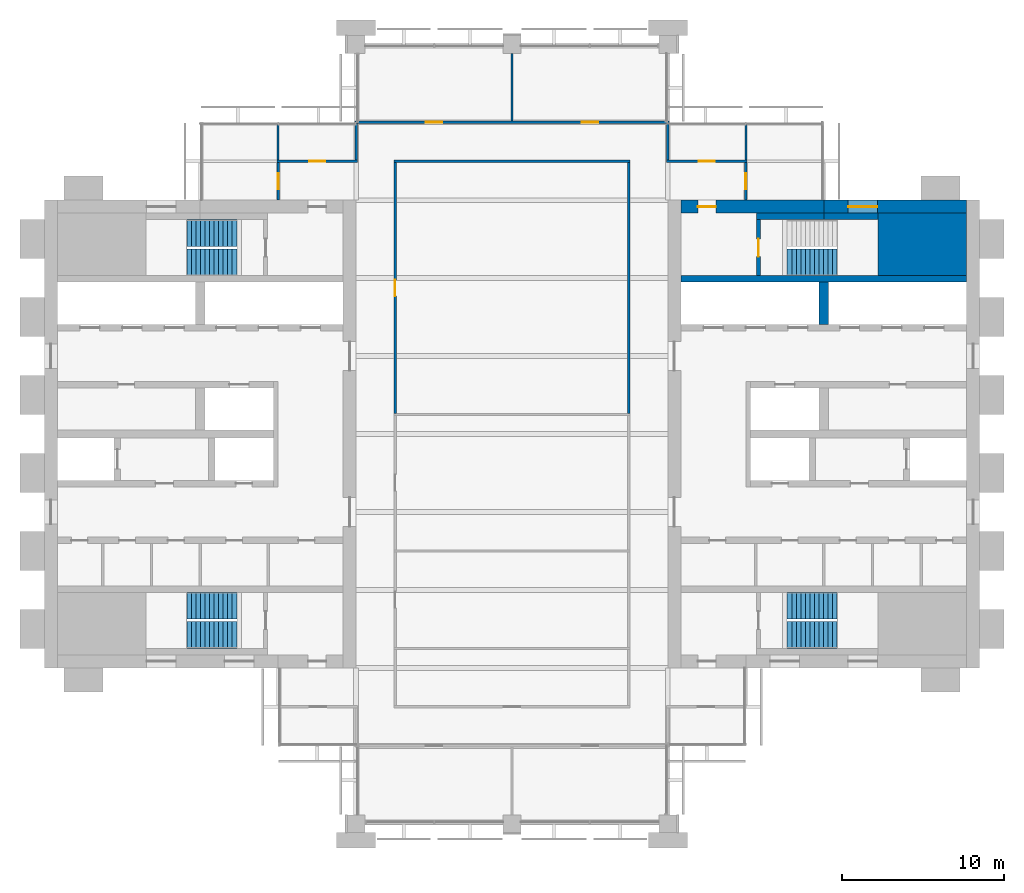
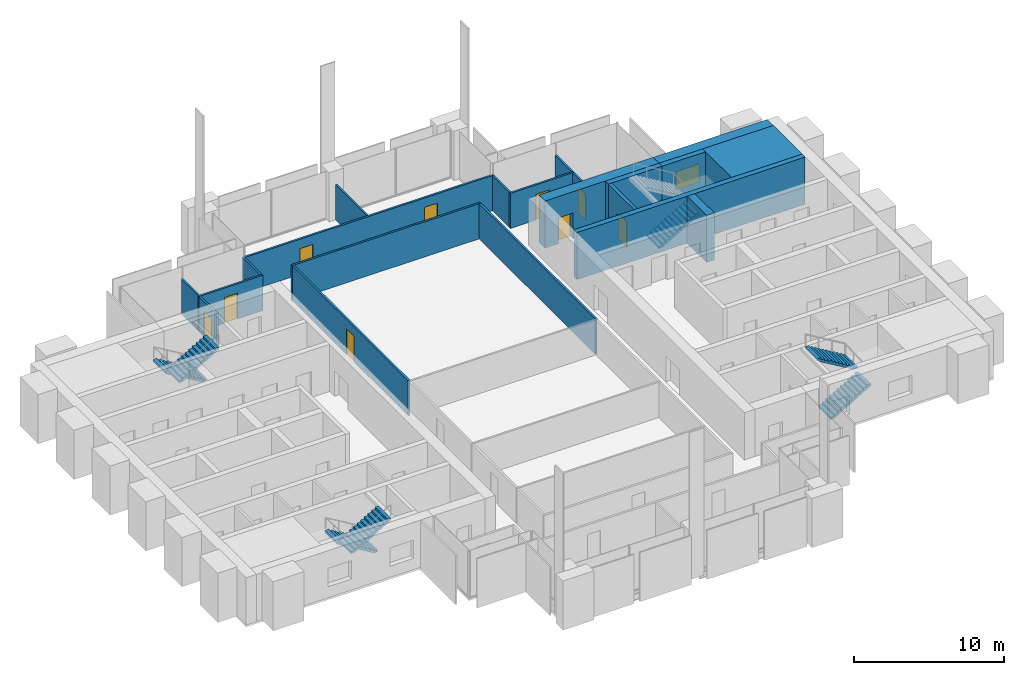
# One storey, part 11 of 13: 21 walls, 9 doors, 7 stair flights, 1 window, 10 openings, 4 elements without a shape of their own.
"""IFC4 building model written with IfcOpenShell, lengths in metres."""

from ifc_helpers import new_model, si_unit, direction, frame, frame_2d, origin, place, context, subcontext, project, spatial, polyline, rectangle, outline, extrude, material, layer, layer_set, type_object, element, fill, aggregate, save


model = new_model("IFC4")

# Units and contexts
model_context = context("Model", 3, precision=1e-05, world=origin(), true_north=direction((0.0, 1.0)))
body_context = subcontext(model_context, "Body", "Model", "MODEL_VIEW")
ifc_project = project(units=[si_unit("LENGTHUNIT", "METRE"), si_unit("AREAUNIT", "SQUARE_METRE"), si_unit("VOLUMEUNIT", "CUBIC_METRE"), si_unit("PLANEANGLEUNIT", "RADIAN"), si_unit("MASSUNIT", "GRAM", prefix="KILO")], contexts=[model_context])

# Site, building, storey
site_placement = place(None, origin())
site = spatial("IfcSite", under=ifc_project, at=site_placement, CompositionType="ELEMENT")
building_placement = place(site_placement, origin())
building = spatial("IfcBuilding", under=site, at=building_placement, Name="Baori Bourse Tower", CompositionType="ELEMENT")
storey_placement = place(building_placement, frame((0.0, 0.0, 249.199951171875)))
storey = spatial("IfcBuildingStorey", under=building, at=storey_placement, Name="L55", CompositionType="ELEMENT", Elevation=249.199951171875)

# Wall
ifc_material_1 = material(Name="Concrete f'c 50 MPa", Category="concrete")
wall_type_1 = type_object("IfcWallType", Name="Core corner block f'c 50", PredefinedType="SHEAR", material=ifc_material_1)
wall_1_placement = place(storey_placement, frame((51.35009765625, 35.675048828125, 0.0), z_axis=(0.0, 0.0, 1.0), x_axis=(1.0, 0.0, 0.0)))
element("IfcWall", 1, at=wall_1_placement, inside=storey, type_object=wall_type_1, Name="Core wall E24", PredefinedType="SHEAR", context=body_context, shape_type="SweptSolid", body=[
    extrude(rectangle(XDim=5.449951171875, YDim=3.85009765625, at=frame_2d((2.72509765625, 0.0))), origin(), (0.0, 0.0, 1.0), 3.840087890625),
])

# Wall, opening, window
ifc_material_2 = material(Name="Concrete f'c 50 MPa", Category="concrete")
ifc_layer_1 = layer(ifc_material_2, 0.800048828125)
ifc_layer_set_1 = layer_set([ifc_layer_1], Name="Core wall 800 f'c 50")
wall_type_2 = type_object("IfcWallType", Name="Core wall 800 f'c 50", PredefinedType="SHEAR", material=ifc_layer_set_1)
wall_2_placement = place(storey_placement, frame((48.0, 38.0, 0.0), z_axis=(0.0, 0.0, 1.0), x_axis=(1.0, 0.0, 0.0)))
wall_2 = element("IfcWall", 2, at=wall_2_placement, inside=storey, type_object=wall_type_2, Name="Core wall E28", PredefinedType="SHEAR", context=body_context, shape_type="SweptSolid", body=[
    extrude(rectangle(XDim=8.800048828125, YDim=0.800048828125, at=frame_2d((4.39990234375, 0.0))), origin(), (0.0, 0.0, 1.0), 3.840087890625),
])
opening_1_placement = place(wall_2_placement, frame((1.5, 0.0, 0.89990234375)))
opening_1 = element("IfcOpeningElement", 3, at=opening_1_placement, cuts=wall_2, Name="Opening L55-KW205", PredefinedType="OPENING", context=body_context, shape_type="SweptSolid", body=[
    extrude(rectangle(XDim=1.800048828125, YDim=1.5, at=frame_2d((0.89990234375, 0.75))), frame((0.0, 0.409912109375, 0.0), z_axis=(0.0, -1.0, 0.0), x_axis=(1.0, 0.0, 0.0)), (0.0, 0.0, 1.0), 0.820068359375),
])
ifc_material_3 = material(Name="Pale anodised aluminium", Category="aluminium")
window_type = type_object("IfcWindowType", Name="Stair window 1800 x 1500", PartitioningType="SINGLE_PANEL", PredefinedType="WINDOW", material=ifc_material_3)
window_placement = place(opening_1_placement, origin())
window = element("IfcWindow", 4, at=window_placement, inside=storey, type_object=window_type, Name="Stair window E L55 5", OverallHeight=1.5, OverallWidth=1.800048828125, PartitioningType="SINGLE_PANEL", PredefinedType="WINDOW", context=body_context, shape_type="SweptSolid", body=[
    extrude(rectangle(XDim=1.800048828125, YDim=1.5, at=frame_2d((0.89990234375, 0.75))), frame((0.0, 0.030029296875, 0.0), z_axis=(0.0, -1.0, 0.0), x_axis=(1.0, 0.0, 0.0)), (0.0, 0.0, 1.0), 0.06005859375),
])
fill(opening_1, window)

# Wall, opening, door
wall_3_placement = place(storey_placement, frame((39.199951171875, 38.0, 0.0), z_axis=(0.0, 0.0, 1.0), x_axis=(1.0, 0.0, 0.0)))
wall_3 = element("IfcWall", 5, at=wall_3_placement, inside=storey, type_object=wall_type_2, Name="Core wall E29", PredefinedType="SHEAR", context=body_context, shape_type="SweptSolid", body=[
    extrude(rectangle(XDim=8.800048828125, YDim=0.800048828125, at=frame_2d((4.39990234375, 0.0))), origin(), (0.0, 0.0, 1.0), 3.840087890625),
])
opening_2_placement = place(wall_3_placement, frame((1.050048828125, 0.0, 0.0)))
opening_2 = element("IfcOpeningElement", 6, at=opening_2_placement, cuts=wall_3, Name="Opening L55-D204", PredefinedType="OPENING", context=body_context, shape_type="SweptSolid", body=[
    extrude(rectangle(XDim=1.10009765625, YDim=2.10009765625, at=frame_2d((0.550048828125, 1.050048828125))), frame((0.0, 0.409912109375, 0.0), z_axis=(0.0, -1.0, 0.0), x_axis=(1.0, 0.0, 0.0)), (0.0, 0.0, 1.0), 0.820068359375),
])
ifc_material_4 = material(Name="Painted steel door", Category="steel")
door_type_1 = type_object("IfcDoorType", Name="Stair door 1100", OperationType="SINGLE_SWING_LEFT", PredefinedType="DOOR", material=ifc_material_4)
door_1_placement = place(opening_2_placement, origin())
door_1 = element("IfcDoor", 7, at=door_1_placement, inside=storey, type_object=door_type_1, Name="Stair vestibule door B E L55", OperationType="SINGLE_SWING_LEFT", OverallHeight=2.10009765625, OverallWidth=1.10009765625, PredefinedType="DOOR", context=body_context, shape_type="SweptSolid", body=[
    extrude(rectangle(XDim=1.10009765625, YDim=2.10009765625, at=frame_2d((0.550048828125, 1.050048828125))), frame((0.0, 0.02490234375, 0.0), z_axis=(0.0, -1.0, 0.0), x_axis=(1.0, 0.0, 0.0)), (0.0, 0.0, 1.0), 0.050048828125),
])
fill(opening_2, door_1)

ifc_material_5 = material(Name="Gypsum board partition")
ifc_layer_2 = layer(ifc_material_5, 0.14990234375)
ifc_layer_set_2 = layer_set([ifc_layer_2], Name="Corridor partition 150")
wall_type_3 = type_object("IfcWallType", Name="Corridor partition 150", PredefinedType="PARTITIONING", material=ifc_layer_set_2)
wall_4_placement = place(storey_placement, frame((14.324951171875, 40.800048828125, 0.0), z_axis=(0.0, 0.0, 1.0), x_axis=(1.0, 0.0, 0.0)))
wall_4 = element("IfcWall", 8, at=wall_4_placement, inside=storey, type_object=wall_type_3, Name="Partition", PredefinedType="PARTITIONING", context=body_context, shape_type="SweptSolid", body=[
    extrude(rectangle(XDim=4.949951171875, YDim=0.14990234375, at=frame_2d((2.47509765625, 0.0))), origin(), (0.0, 0.0, 1.0), 2.869873046875),
])
opening_3_placement = place(wall_4_placement, frame((1.97509765625, 0.0, 0.0)))
opening_3 = element("IfcOpeningElement", 9, at=opening_3_placement, cuts=wall_4, Name="Opening L55-D06", PredefinedType="OPENING", context=body_context, shape_type="SweptSolid", body=[
    extrude(rectangle(XDim=1.0, YDim=2.10009765625, at=frame_2d((0.5, 1.050048828125))), frame((0.0, 0.0849609375, 0.0), z_axis=(0.0, -1.0, 0.0), x_axis=(1.0, 0.0, 0.0)), (0.0, 0.0, 1.0), 0.169921875),
])
ifc_material_6 = material(Name="Timber door leaf", Category="wood")
door_type_2 = type_object("IfcDoorType", Name="Door 1000 x 2100", OperationType="SINGLE_SWING_LEFT", PredefinedType="DOOR", material=ifc_material_6)
door_2_placement = place(opening_3_placement, origin())
door_2 = element("IfcDoor", 10, at=door_2_placement, inside=storey, type_object=door_type_2, Name="Door", OperationType="SINGLE_SWING_LEFT", OverallHeight=2.10009765625, OverallWidth=1.0, PredefinedType="DOOR", context=body_context, shape_type="SweptSolid", body=[
    extrude(rectangle(XDim=1.0, YDim=2.10009765625, at=frame_2d((0.5, 1.050048828125))), frame((0.0, 0.02490234375, 0.0), z_axis=(0.0, -1.0, 0.0), x_axis=(1.0, 0.0, 0.0)), (0.0, 0.0, 1.0), 0.050048828125),
])
fill(opening_3, door_2)

# Wall
wall_5_placement = place(storey_placement, frame((21.52490234375, 40.800048828125, 0.0), z_axis=(0.0, 0.0, 1.0), x_axis=(1.0, 0.0, 0.0)))
element("IfcWall", 11, at=wall_5_placement, inside=storey, type_object=wall_type_3, Name="Partition", PredefinedType="PARTITIONING", context=body_context, shape_type="SweptSolid", body=[
    extrude(rectangle(XDim=14.550048828125, YDim=0.14990234375, at=frame_2d((7.27490234375, 0.0))), origin(), (0.0, 0.0, 1.0), 2.869873046875),
])

# Wall, opening, door
wall_6_placement = place(storey_placement, frame((38.324951171875, 40.800048828125, 0.0), z_axis=(0.0, 0.0, 1.0), x_axis=(1.0, 0.0, 0.0)))
wall_6 = element("IfcWall", 12, at=wall_6_placement, inside=storey, type_object=wall_type_3, Name="Partition", PredefinedType="PARTITIONING", context=body_context, shape_type="SweptSolid", body=[
    extrude(rectangle(XDim=4.949951171875, YDim=0.14990234375, at=frame_2d((2.47509765625, 0.0))), origin(), (0.0, 0.0, 1.0), 2.869873046875),
])
opening_4_placement = place(wall_6_placement, frame((1.97509765625, 0.0, 0.0)))
opening_4 = element("IfcOpeningElement", 13, at=opening_4_placement, cuts=wall_6, Name="Opening L55-D07", PredefinedType="OPENING", context=body_context, shape_type="SweptSolid", body=[
    extrude(rectangle(XDim=1.0, YDim=2.10009765625, at=frame_2d((0.5, 1.050048828125))), frame((0.0, 0.0849609375, 0.0), z_axis=(0.0, -1.0, 0.0), x_axis=(1.0, 0.0, 0.0)), (0.0, 0.0, 1.0), 0.169921875),
])
door_3_placement = place(opening_4_placement, origin())
door_3 = element("IfcDoor", 14, at=door_3_placement, inside=storey, type_object=door_type_2, Name="Door", OperationType="SINGLE_SWING_RIGHT", OverallHeight=2.10009765625, OverallWidth=1.0, PredefinedType="DOOR", context=body_context, shape_type="SweptSolid", body=[
    extrude(rectangle(XDim=1.0, YDim=2.10009765625, at=frame_2d((0.5, 1.050048828125))), frame((0.0, 0.02490234375, 0.0), z_axis=(0.0, -1.0, 0.0), x_axis=(1.0, 0.0, 0.0)), (0.0, 0.0, 1.0), 0.050048828125),
])
fill(opening_4, door_3)

# Wall, openings, doors
wall_7_placement = place(storey_placement, frame((19.125, 43.199951171875, 0.0), z_axis=(0.0, 0.0, 1.0), x_axis=(1.0, 0.0, 0.0)))
wall_7 = element("IfcWall", 15, at=wall_7_placement, inside=storey, type_object=wall_type_3, Name="Partition", PredefinedType="PARTITIONING", context=body_context, shape_type="SweptSolid", body=[
    extrude(rectangle(XDim=19.35009765625, YDim=0.14990234375, at=frame_2d((9.675048828125, 0.0))), origin(), (0.0, 0.0, 1.0), 2.869873046875),
])
opening_5_placement = place(wall_7_placement, frame((4.375, 0.0, 0.0)))
opening_5 = element("IfcOpeningElement", 16, at=opening_5_placement, cuts=wall_7, Name="Opening L55-D08", PredefinedType="OPENING", context=body_context, shape_type="SweptSolid", body=[
    extrude(rectangle(XDim=1.0, YDim=2.10009765625, at=frame_2d((0.5, 1.050048828125))), frame((0.0, 0.0849609375, 0.0), z_axis=(0.0, -1.0, 0.0), x_axis=(1.0, 0.0, 0.0)), (0.0, 0.0, 1.0), 0.169921875),
])
opening_6_placement = place(wall_7_placement, frame((13.97509765625, 0.0, 0.0)))
opening_6 = element("IfcOpeningElement", 17, at=opening_6_placement, cuts=wall_7, Name="Opening L55-D09", PredefinedType="OPENING", context=body_context, shape_type="SweptSolid", body=[
    extrude(rectangle(XDim=1.0, YDim=2.10009765625, at=frame_2d((0.5, 1.050048828125))), frame((0.0, 0.0849609375, 0.0), z_axis=(0.0, -1.0, 0.0), x_axis=(1.0, 0.0, 0.0)), (0.0, 0.0, 1.0), 0.169921875),
])
door_4_placement = place(opening_5_placement, origin())
door_4 = element("IfcDoor", 18, at=door_4_placement, inside=storey, type_object=door_type_2, Name="Door", OperationType="SINGLE_SWING_RIGHT", OverallHeight=2.10009765625, OverallWidth=1.0, PredefinedType="DOOR", context=body_context, shape_type="SweptSolid", body=[
    extrude(rectangle(XDim=1.0, YDim=2.10009765625, at=frame_2d((0.5, 1.050048828125))), frame((0.0, 0.02490234375, 0.0), z_axis=(0.0, -1.0, 0.0), x_axis=(1.0, 0.0, 0.0)), (0.0, 0.0, 1.0), 0.050048828125),
])
fill(opening_5, door_4)
door_5_placement = place(opening_6_placement, origin())
door_5 = element("IfcDoor", 19, at=door_5_placement, inside=storey, type_object=door_type_2, Name="Door", OperationType="SINGLE_SWING_LEFT", OverallHeight=2.10009765625, OverallWidth=1.0, PredefinedType="DOOR", context=body_context, shape_type="SweptSolid", body=[
    extrude(rectangle(XDim=1.0, YDim=2.10009765625, at=frame_2d((0.5, 1.050048828125))), frame((0.0, 0.02490234375, 0.0), z_axis=(0.0, -1.0, 0.0), x_axis=(1.0, 0.0, 0.0)), (0.0, 0.0, 1.0), 0.050048828125),
])
fill(opening_6, door_5)

# Wall, opening, door
wall_8_placement = place(storey_placement, frame((14.39990234375, 38.39990234375, 0.0), z_axis=(0.0, 0.0, 1.0), x_axis=(0.0, 1.0, 0.0)))
wall_8 = element("IfcWall", 20, at=wall_8_placement, inside=storey, type_object=wall_type_3, Name="Partition", PredefinedType="PARTITIONING", context=body_context, shape_type="SweptSolid", body=[
    extrude(rectangle(XDim=2.3251953125, YDim=0.14990234375, at=frame_2d((1.16259765625, 0.0))), origin(), (0.0, 0.0, 1.0), 2.869873046875),
])
opening_7_placement = place(wall_8_placement, frame((0.66259765625, 0.0, 0.0)))
opening_7 = element("IfcOpeningElement", 21, at=opening_7_placement, cuts=wall_8, Name="Opening L55-D10", PredefinedType="OPENING", context=body_context, shape_type="SweptSolid", body=[
    extrude(rectangle(XDim=1.0, YDim=2.10009765625, at=frame_2d((0.5, 1.050048828125))), frame((0.0, 0.0849609375, 0.0), z_axis=(0.0, -1.0, 0.0), x_axis=(1.0, 0.0, 0.0)), (0.0, 0.0, 1.0), 0.169921875),
])
door_6_placement = place(opening_7_placement, origin())
door_6 = element("IfcDoor", 22, at=door_6_placement, inside=storey, type_object=door_type_2, Name="Door", OperationType="SINGLE_SWING_RIGHT", OverallHeight=2.10009765625, OverallWidth=1.0, PredefinedType="DOOR", context=body_context, shape_type="SweptSolid", body=[
    extrude(rectangle(XDim=1.0, YDim=2.10009765625, at=frame_2d((0.5, 1.050048828125))), frame((0.0, 0.02490234375, 0.0), z_axis=(0.0, -1.0, 0.0), x_axis=(1.0, 0.0, 0.0)), (0.0, 0.0, 1.0), 0.050048828125),
])
fill(opening_7, door_6)

# Wall
wall_9_placement = place(storey_placement, frame((19.199951171875, 40.875, 0.0), z_axis=(0.0, 0.0, 1.0), x_axis=(0.0, 1.0, 0.0)))
element("IfcWall", 23, at=wall_9_placement, inside=storey, type_object=wall_type_3, Name="Partition", PredefinedType="PARTITIONING", context=body_context, shape_type="SweptSolid", body=[
    extrude(rectangle(XDim=2.25, YDim=0.14990234375, at=frame_2d((1.125, 0.0))), origin(), (0.0, 0.0, 1.0), 2.869873046875),
])

# Wall, opening, door
wall_10_placement = place(storey_placement, frame((21.60009765625, 25.262451171875, 0.0), z_axis=(0.0, 0.0, 1.0), x_axis=(0.0, 1.0, 0.0)))
wall_10 = element("IfcWall", 24, at=wall_10_placement, inside=storey, type_object=wall_type_3, Name="Partition", PredefinedType="PARTITIONING", context=body_context, shape_type="SweptSolid", body=[
    extrude(rectangle(XDim=15.462646484375, YDim=0.14990234375, at=frame_2d((7.7314453125, 0.0))), origin(), (0.0, 0.0, 1.0), 2.869873046875),
])
opening_8_placement = place(wall_10_placement, frame((7.231201171875, 0.0, 0.0)))
opening_8 = element("IfcOpeningElement", 25, at=opening_8_placement, cuts=wall_10, Name="Opening L55-D13", PredefinedType="OPENING", context=body_context, shape_type="SweptSolid", body=[
    extrude(rectangle(XDim=1.0, YDim=2.10009765625, at=frame_2d((0.5, 1.050048828125))), frame((0.0, 0.0849609375, 0.0), z_axis=(0.0, -1.0, 0.0), x_axis=(1.0, 0.0, 0.0)), (0.0, 0.0, 1.0), 0.169921875),
])
door_7_placement = place(opening_8_placement, origin())
door_7 = element("IfcDoor", 26, at=door_7_placement, inside=storey, type_object=door_type_2, Name="Door", OperationType="SINGLE_SWING_LEFT", OverallHeight=2.10009765625, OverallWidth=1.0, PredefinedType="DOOR", context=body_context, shape_type="SweptSolid", body=[
    extrude(rectangle(XDim=1.0, YDim=2.10009765625, at=frame_2d((0.5, 1.050048828125))), frame((0.0, 0.02490234375, 0.0), z_axis=(0.0, -1.0, 0.0), x_axis=(1.0, 0.0, 0.0)), (0.0, 0.0, 1.0), 0.050048828125),
])
fill(opening_8, door_7)

# Walls
wall_11_placement = place(storey_placement, frame((36.0, 25.262451171875, 0.0), z_axis=(0.0, 0.0, 1.0), x_axis=(0.0, 1.0, 0.0)))
element("IfcWall", 27, at=wall_11_placement, inside=storey, type_object=wall_type_3, Name="Partition", PredefinedType="PARTITIONING", context=body_context, shape_type="SweptSolid", body=[
    extrude(rectangle(XDim=15.462646484375, YDim=0.14990234375, at=frame_2d((7.7314453125, 0.0))), origin(), (0.0, 0.0, 1.0), 2.869873046875),
])
wall_12_placement = place(storey_placement, frame((38.39990234375, 40.875, 0.0), z_axis=(0.0, 0.0, 1.0), x_axis=(0.0, 1.0, 0.0)))
element("IfcWall", 28, at=wall_12_placement, inside=storey, type_object=wall_type_3, Name="Partition", PredefinedType="PARTITIONING", context=body_context, shape_type="SweptSolid", body=[
    extrude(rectangle(XDim=2.25, YDim=0.14990234375, at=frame_2d((1.125, 0.0))), origin(), (0.0, 0.0, 1.0), 2.869873046875),
])

# Wall, opening, door
wall_13_placement = place(storey_placement, frame((43.199951171875, 38.39990234375, 0.0), z_axis=(0.0, 0.0, 1.0), x_axis=(0.0, 1.0, 0.0)))
wall_13 = element("IfcWall", 29, at=wall_13_placement, inside=storey, type_object=wall_type_3, Name="Partition", PredefinedType="PARTITIONING", context=body_context, shape_type="SweptSolid", body=[
    extrude(rectangle(XDim=2.3251953125, YDim=0.14990234375, at=frame_2d((1.16259765625, 0.0))), origin(), (0.0, 0.0, 1.0), 2.869873046875),
])
opening_9_placement = place(wall_13_placement, frame((0.66259765625, 0.0, 0.0)))
opening_9 = element("IfcOpeningElement", 30, at=opening_9_placement, cuts=wall_13, Name="Opening L55-D14", PredefinedType="OPENING", context=body_context, shape_type="SweptSolid", body=[
    extrude(rectangle(XDim=1.0, YDim=2.10009765625, at=frame_2d((0.5, 1.050048828125))), frame((0.0, 0.0849609375, 0.0), z_axis=(0.0, -1.0, 0.0), x_axis=(1.0, 0.0, 0.0)), (0.0, 0.0, 1.0), 0.169921875),
])
door_8_placement = place(opening_9_placement, origin())
door_8 = element("IfcDoor", 31, at=door_8_placement, inside=storey, type_object=door_type_2, Name="Door", OperationType="SINGLE_SWING_LEFT", OverallHeight=2.10009765625, OverallWidth=1.0, PredefinedType="DOOR", context=body_context, shape_type="SweptSolid", body=[
    extrude(rectangle(XDim=1.0, YDim=2.10009765625, at=frame_2d((0.5, 1.050048828125))), frame((0.0, 0.02490234375, 0.0), z_axis=(0.0, -1.0, 0.0), x_axis=(1.0, 0.0, 0.0)), (0.0, 0.0, 1.0), 0.050048828125),
])
fill(opening_9, door_8)

# Walls
ifc_material_7 = material(Name="Gypsum board partition")
ifc_layer_3 = layer(ifc_material_7, 0.125)
ifc_layer_set_3 = layer_set([ifc_layer_3], Name="Partition 125")
wall_type_4 = type_object("IfcWallType", Name="Partition 125", PredefinedType="PARTITIONING", material=ifc_layer_set_3)
wall_14_placement = place(storey_placement, frame((14.39990234375, 40.875, 0.0), z_axis=(0.0, 0.0, 1.0), x_axis=(0.0, 1.0, 0.0)))
element("IfcWall", 32, at=wall_14_placement, inside=storey, type_object=wall_type_4, Name="Partition", PredefinedType="PARTITIONING", context=body_context, shape_type="SweptSolid", body=[
    extrude(rectangle(XDim=2.22509765625, YDim=0.125, at=frame_2d((1.112548828125, 0.0))), origin(), (0.0, 0.0, 1.0), 2.869873046875),
])
wall_15_placement = place(storey_placement, frame((28.800048828125, 43.27490234375, 0.0), z_axis=(0.0, 0.0, 1.0), x_axis=(0.0, 1.0, 0.0)))
element("IfcWall", 33, at=wall_15_placement, inside=storey, type_object=wall_type_4, Name="Partition", PredefinedType="PARTITIONING", context=body_context, shape_type="SweptSolid", body=[
    extrude(rectangle(XDim=4.175048828125, YDim=0.125, at=frame_2d((2.08740234375, 0.0))), origin(), (0.0, 0.0, 1.0), 2.869873046875),
])
wall_16_placement = place(storey_placement, frame((43.199951171875, 40.875, 0.0), z_axis=(0.0, 0.0, 1.0), x_axis=(0.0, 1.0, 0.0)))
element("IfcWall", 34, at=wall_16_placement, inside=storey, type_object=wall_type_4, Name="Partition", PredefinedType="PARTITIONING", context=body_context, shape_type="SweptSolid", body=[
    extrude(rectangle(XDim=2.22509765625, YDim=0.125, at=frame_2d((1.112548828125, 0.0))), origin(), (0.0, 0.0, 1.0), 2.869873046875),
])

# Wall, opening, door
ifc_material_8 = material(Name="Concrete f'c 50 MPa", Category="concrete")
ifc_layer_4 = layer(ifc_material_8, 0.25)
ifc_layer_set_4 = layer_set([ifc_layer_4], Name="Shaft wall 250 f'c 50")
wall_type_5 = type_object("IfcWallType", Name="Shaft wall 250 f'c 50", PredefinedType="SHEAR", material=ifc_layer_set_4)
wall_17_placement = place(storey_placement, frame((43.97509765625, 33.75, 0.0), z_axis=(0.0, 0.0, 1.0), x_axis=(0.0, 1.0, 0.0)))
wall_17 = element("IfcWall", 35, at=wall_17_placement, inside=storey, type_object=wall_type_5, Name="Core wall E25", PredefinedType="SHEAR", context=body_context, shape_type="SweptSolid", body=[
    extrude(rectangle(XDim=3.449951171875, YDim=0.25, at=frame_2d((1.72509765625, 0.0))), origin(), (0.0, 0.0, 1.0), 3.840087890625),
])
opening_10_placement = place(wall_17_placement, frame((1.175048828125, 0.0, 0.0)))
opening_10 = element("IfcOpeningElement", 36, at=opening_10_placement, cuts=wall_17, Name="Opening L55-D203", PredefinedType="OPENING", context=body_context, shape_type="SweptSolid", body=[
    extrude(rectangle(XDim=1.10009765625, YDim=2.10009765625, at=frame_2d((0.550048828125, 1.050048828125))), frame((0.0, 0.135009765625, 0.0), z_axis=(0.0, -1.0, 0.0), x_axis=(1.0, 0.0, 0.0)), (0.0, 0.0, 1.0), 0.27001953125),
])
door_9_placement = place(opening_10_placement, origin())
door_9 = element("IfcDoor", 37, at=door_9_placement, inside=storey, type_object=door_type_1, Name="Stair door B E L55", OperationType="SINGLE_SWING_LEFT", OverallHeight=2.10009765625, OverallWidth=1.10009765625, PredefinedType="DOOR", context=body_context, shape_type="SweptSolid", body=[
    extrude(rectangle(XDim=1.10009765625, YDim=2.10009765625, at=frame_2d((0.550048828125, 1.050048828125))), frame((0.0, 0.02490234375, 0.0), z_axis=(0.0, -1.0, 0.0), x_axis=(1.0, 0.0, 0.0)), (0.0, 0.0, 1.0), 0.050048828125),
])
fill(opening_10, door_9)

# Walls
ifc_material_9 = material(Name="Concrete f'c 50 MPa", Category="concrete")
ifc_layer_5 = layer(ifc_material_9, 0.39990234375)
ifc_layer_set_5 = layer_set([ifc_layer_5], Name="Shaft wall 400 f'c 50")
wall_type_6 = type_object("IfcWallType", Name="Shaft wall 400 f'c 50", PredefinedType="SHEAR", material=ifc_layer_set_5)
wall_18_placement = place(storey_placement, frame((39.199951171875, 33.550048828125, 0.0), z_axis=(0.0, 0.0, 1.0), x_axis=(1.0, 0.0, 0.0)))
element("IfcWall", 38, at=wall_18_placement, inside=storey, type_object=wall_type_6, Name="Core wall E23", PredefinedType="SHEAR", context=body_context, shape_type="SweptSolid", body=[
    extrude(rectangle(XDim=17.60009765625, YDim=0.39990234375, at=frame_2d((8.800048828125, 0.0))), origin(), (0.0, 0.0, 1.0), 3.840087890625),
])
wall_19_placement = place(storey_placement, frame((48.0, 37.39990234375, 0.0), z_axis=(0.0, 0.0, 1.0), x_axis=(1.0, 0.0, 0.0)))
element("IfcWall", 39, at=wall_19_placement, inside=storey, type_object=wall_type_6, Name="Core wall E26", PredefinedType="SHEAR", context=body_context, shape_type="SweptSolid", body=[
    extrude(rectangle(XDim=3.35009765625, YDim=0.39990234375, at=frame_2d((1.675048828125, 0.0))), origin(), (0.0, 0.0, 1.0), 3.840087890625),
])
wall_20_placement = place(storey_placement, frame((43.85009765625, 37.39990234375, 0.0), z_axis=(0.0, 0.0, 1.0), x_axis=(1.0, 0.0, 0.0)))
element("IfcWall", 40, at=wall_20_placement, inside=storey, type_object=wall_type_6, Name="Core wall E27", PredefinedType="SHEAR", context=body_context, shape_type="SweptSolid", body=[
    extrude(rectangle(XDim=4.14990234375, YDim=0.39990234375, at=frame_2d((2.074951171875, 0.0))), origin(), (0.0, 0.0, 1.0), 3.840087890625),
])
ifc_material_10 = material(Name="Concrete f'c 50 MPa", Category="concrete")
ifc_layer_6 = layer(ifc_material_10, 0.60009765625)
ifc_layer_set_6 = layer_set([ifc_layer_6], Name="Shaft wall 600 f'c 50")
wall_type_7 = type_object("IfcWallType", Name="Shaft wall 600 f'c 50", PredefinedType="SHEAR", material=ifc_layer_set_6)
wall_21_placement = place(storey_placement, frame((48.0, 30.75, 0.0), z_axis=(0.0, 0.0, 1.0), x_axis=(0.0, 1.0, 0.0)))
element("IfcWall", 41, at=wall_21_placement, inside=storey, type_object=wall_type_7, Name="Core wall E22", PredefinedType="SHEAR", context=body_context, shape_type="SweptSolid", body=[
    extrude(rectangle(XDim=2.60009765625, YDim=0.60009765625, at=frame_2d((1.300048828125, 0.0))), origin(), (0.0, 0.0, 1.0), 3.840087890625),
])

# Stair, stair flights
ifc_material_11 = material(Name="Concrete f'c 50 MPa", Category="concrete")
stair_type = type_object("IfcStairType", Name="Core stair", PredefinedType="HALF_TURN_STAIR", material=ifc_material_11)
stair_1_placement = place(storey_placement, origin())
stair_1 = element("IfcStair", 42, at=stair_1_placement, inside=storey, type_object=stair_type, Name="L55 Stair WA", PredefinedType="HALF_TURN_STAIR")
ifc_material_12 = material(Name="Concrete f'c 50 MPa", Category="concrete")
stair_flight_type = type_object("IfcStairFlightType", Name="Core stair flight", PredefinedType="STRAIGHT", material=ifc_material_12)
stair_flight_1_placement = place(storey_placement, frame((11.85009765625, 13.425048828125, 0.0), z_axis=(0.0, 0.0, 1.0), x_axis=(-1.0, 0.0, 0.0)))
stair_flight_1 = element("IfcStairFlight", 43, at=stair_flight_1_placement, type_object=stair_flight_type, Name="ST1 flight 1", NumberOfRisers=12, NumberOfTreads=11, PredefinedType="STRAIGHT", RiserHeight=0.166666667, TreadLength=0.28, context=body_context, shape_type="SweptSolid", body=[
    extrude(outline(polyline([(0.0, 0.0), (0.0, 0.166748046875), (0.280029296875, 0.166748046875), (0.280029296875, 0.333251953125), (0.56005859375, 0.333251953125), (0.56005859375, 0.5), (0.840087890625, 0.5), (0.840087890625, 0.666748046875), (1.1201171875, 0.666748046875), (1.1201171875, 0.833251953125), (1.39990234375, 0.833251953125), (1.39990234375, 1.0), (1.679931640625, 1.0), (1.679931640625, 1.166748046875), (1.9599609375, 1.166748046875), (1.9599609375, 1.333251953125), (2.239990234375, 1.333251953125), (2.239990234375, 1.5), (2.52001953125, 1.5), (2.52001953125, 1.666748046875), (2.800048828125, 1.666748046875), (2.800048828125, 1.833251953125), (3.080078125, 1.833251953125), (3.080078125, 2.0), (3.080078125, 1.658935546875), (0.29296875, 0.0), (0.0, 0.0)])), frame((0.0, 0.824951171875, 0.0), z_axis=(0.0, -1.0, 0.0), x_axis=(1.0, 0.0, 0.0)), (0.0, 0.0, 1.0), 1.64990234375),
])
stair_flight_2_placement = place(storey_placement, frame((8.77001953125, 11.625, 2.0), z_axis=(0.0, 0.0, 1.0), x_axis=(1.0, 0.0, 0.0)))
stair_flight_2 = element("IfcStairFlight", 44, at=stair_flight_2_placement, type_object=stair_flight_type, Name="ST1 flight 2", NumberOfRisers=12, NumberOfTreads=11, PredefinedType="STRAIGHT", RiserHeight=0.166666667, TreadLength=0.28, context=body_context, shape_type="SweptSolid", body=[
    extrude(outline(polyline([(0.0, 0.0), (0.0, 0.166748046875), (0.280029296875, 0.166748046875), (0.280029296875, 0.333251953125), (0.56005859375, 0.333251953125), (0.56005859375, 0.5), (0.840087890625, 0.5), (0.840087890625, 0.666748046875), (1.1201171875, 0.666748046875), (1.1201171875, 0.833251953125), (1.39990234375, 0.833251953125), (1.39990234375, 1.0), (1.679931640625, 1.0), (1.679931640625, 1.166748046875), (1.9599609375, 1.166748046875), (1.9599609375, 1.333251953125), (2.239990234375, 1.333251953125), (2.239990234375, 1.5), (2.52001953125, 1.5), (2.52001953125, 1.666748046875), (2.800048828125, 1.666748046875), (2.800048828125, 1.833251953125), (3.080078125, 1.833251953125), (3.080078125, 2.0), (3.080078125, 1.658935546875), (0.29296875, 0.0), (0.0, 0.0)])), frame((0.0, 0.824951171875, 0.0), z_axis=(0.0, -1.0, 0.0), x_axis=(1.0, 0.0, 0.0)), (0.0, 0.0, 1.0), 1.64990234375),
])
aggregate(stair_1, [stair_flight_1, stair_flight_2])

stair_2_placement = place(storey_placement, origin())
stair_2 = element("IfcStair", 45, at=stair_2_placement, inside=storey, type_object=stair_type, Name="L55 Stair WB", PredefinedType="HALF_TURN_STAIR")
stair_flight_3_placement = place(storey_placement, frame((11.85009765625, 36.375, 0.0), z_axis=(0.0, 0.0, 1.0), x_axis=(-1.0, 0.0, 0.0)))
stair_flight_3 = element("IfcStairFlight", 46, at=stair_flight_3_placement, type_object=stair_flight_type, Name="ST2 flight 1", NumberOfRisers=12, NumberOfTreads=11, PredefinedType="STRAIGHT", RiserHeight=0.166666667, TreadLength=0.28, context=body_context, shape_type="SweptSolid", body=[
    extrude(outline(polyline([(0.0, 0.0), (0.0, 0.166748046875), (0.280029296875, 0.166748046875), (0.280029296875, 0.333251953125), (0.56005859375, 0.333251953125), (0.56005859375, 0.5), (0.840087890625, 0.5), (0.840087890625, 0.666748046875), (1.1201171875, 0.666748046875), (1.1201171875, 0.833251953125), (1.39990234375, 0.833251953125), (1.39990234375, 1.0), (1.679931640625, 1.0), (1.679931640625, 1.166748046875), (1.9599609375, 1.166748046875), (1.9599609375, 1.333251953125), (2.239990234375, 1.333251953125), (2.239990234375, 1.5), (2.52001953125, 1.5), (2.52001953125, 1.666748046875), (2.800048828125, 1.666748046875), (2.800048828125, 1.833251953125), (3.080078125, 1.833251953125), (3.080078125, 2.0), (3.080078125, 1.658935546875), (0.29296875, 0.0), (0.0, 0.0)])), frame((0.0, 0.824951171875, 0.0), z_axis=(0.0, -1.0, 0.0), x_axis=(1.0, 0.0, 0.0)), (0.0, 0.0, 1.0), 1.64990234375),
])
stair_flight_4_placement = place(storey_placement, frame((8.77001953125, 34.574951171875, 2.0), z_axis=(0.0, 0.0, 1.0), x_axis=(1.0, 0.0, 0.0)))
stair_flight_4 = element("IfcStairFlight", 47, at=stair_flight_4_placement, type_object=stair_flight_type, Name="ST2 flight 2", NumberOfRisers=12, NumberOfTreads=11, PredefinedType="STRAIGHT", RiserHeight=0.166666667, TreadLength=0.28, context=body_context, shape_type="SweptSolid", body=[
    extrude(outline(polyline([(0.0, 0.0), (0.0, 0.166748046875), (0.280029296875, 0.166748046875), (0.280029296875, 0.333251953125), (0.56005859375, 0.333251953125), (0.56005859375, 0.5), (0.840087890625, 0.5), (0.840087890625, 0.666748046875), (1.1201171875, 0.666748046875), (1.1201171875, 0.833251953125), (1.39990234375, 0.833251953125), (1.39990234375, 1.0), (1.679931640625, 1.0), (1.679931640625, 1.166748046875), (1.9599609375, 1.166748046875), (1.9599609375, 1.333251953125), (2.239990234375, 1.333251953125), (2.239990234375, 1.5), (2.52001953125, 1.5), (2.52001953125, 1.666748046875), (2.800048828125, 1.666748046875), (2.800048828125, 1.833251953125), (3.080078125, 1.833251953125), (3.080078125, 2.0), (3.080078125, 1.658935546875), (0.29296875, 0.0), (0.0, 0.0)])), frame((0.0, 0.824951171875, 0.0), z_axis=(0.0, -1.0, 0.0), x_axis=(1.0, 0.0, 0.0)), (0.0, 0.0, 1.0), 1.64990234375),
])
aggregate(stair_2, [stair_flight_3, stair_flight_4])

stair_3_placement = place(storey_placement, origin())
stair_3 = element("IfcStair", 48, at=stair_3_placement, inside=storey, type_object=stair_type, Name="L55 Stair EA", PredefinedType="HALF_TURN_STAIR")
stair_flight_5_placement = place(storey_placement, frame((45.75, 11.625, 0.0), z_axis=(0.0, 0.0, 1.0), x_axis=(1.0, 0.0, 0.0)))
stair_flight_5 = element("IfcStairFlight", 49, at=stair_flight_5_placement, type_object=stair_flight_type, Name="ST3 flight 1", NumberOfRisers=12, NumberOfTreads=11, PredefinedType="STRAIGHT", RiserHeight=0.166666667, TreadLength=0.28, context=body_context, shape_type="SweptSolid", body=[
    extrude(outline(polyline([(0.0, 0.0), (0.0, 0.166748046875), (0.280029296875, 0.166748046875), (0.280029296875, 0.333251953125), (0.56005859375, 0.333251953125), (0.56005859375, 0.5), (0.840087890625, 0.5), (0.840087890625, 0.666748046875), (1.1201171875, 0.666748046875), (1.1201171875, 0.833251953125), (1.39990234375, 0.833251953125), (1.39990234375, 1.0), (1.679931640625, 1.0), (1.679931640625, 1.166748046875), (1.9599609375, 1.166748046875), (1.9599609375, 1.333251953125), (2.239990234375, 1.333251953125), (2.239990234375, 1.5), (2.52001953125, 1.5), (2.52001953125, 1.666748046875), (2.800048828125, 1.666748046875), (2.800048828125, 1.833251953125), (3.080078125, 1.833251953125), (3.080078125, 2.0), (3.080078125, 1.658935546875), (0.29296875, 0.0), (0.0, 0.0)])), frame((0.0, 0.824951171875, 0.0), z_axis=(0.0, -1.0, 0.0), x_axis=(1.0, 0.0, 0.0)), (0.0, 0.0, 1.0), 1.64990234375),
])
stair_flight_6_placement = place(storey_placement, frame((48.830078125, 13.425048828125, 2.0), z_axis=(0.0, 0.0, 1.0), x_axis=(-1.0, 0.0, 0.0)))
stair_flight_6 = element("IfcStairFlight", 50, at=stair_flight_6_placement, type_object=stair_flight_type, Name="ST3 flight 2", NumberOfRisers=12, NumberOfTreads=11, PredefinedType="STRAIGHT", RiserHeight=0.166666667, TreadLength=0.28, context=body_context, shape_type="SweptSolid", body=[
    extrude(outline(polyline([(0.0, 0.0), (0.0, 0.166748046875), (0.280029296875, 0.166748046875), (0.280029296875, 0.333251953125), (0.56005859375, 0.333251953125), (0.56005859375, 0.5), (0.840087890625, 0.5), (0.840087890625, 0.666748046875), (1.1201171875, 0.666748046875), (1.1201171875, 0.833251953125), (1.39990234375, 0.833251953125), (1.39990234375, 1.0), (1.679931640625, 1.0), (1.679931640625, 1.166748046875), (1.9599609375, 1.166748046875), (1.9599609375, 1.333251953125), (2.239990234375, 1.333251953125), (2.239990234375, 1.5), (2.52001953125, 1.5), (2.52001953125, 1.666748046875), (2.800048828125, 1.666748046875), (2.800048828125, 1.833251953125), (3.080078125, 1.833251953125), (3.080078125, 2.0), (3.080078125, 1.658935546875), (0.29296875, 0.0), (0.0, 0.0)])), frame((0.0, 0.824951171875, 0.0), z_axis=(0.0, -1.0, 0.0), x_axis=(1.0, 0.0, 0.0)), (0.0, 0.0, 1.0), 1.64990234375),
])
aggregate(stair_3, [stair_flight_5, stair_flight_6])

# Stair, stair flight
stair_4_placement = place(storey_placement, origin())
stair_4 = element("IfcStair", 51, at=stair_4_placement, inside=storey, type_object=stair_type, Name="L55 Stair EB", PredefinedType="HALF_TURN_STAIR")
stair_flight_7_placement = place(storey_placement, frame((45.75, 34.574951171875, 0.0), z_axis=(0.0, 0.0, 1.0), x_axis=(1.0, 0.0, 0.0)))
stair_flight_7 = element("IfcStairFlight", 52, at=stair_flight_7_placement, type_object=stair_flight_type, Name="ST4 flight 1", NumberOfRisers=12, NumberOfTreads=11, PredefinedType="STRAIGHT", RiserHeight=0.166666667, TreadLength=0.28, context=body_context, shape_type="SweptSolid", body=[
    extrude(outline(polyline([(0.0, 0.0), (0.0, 0.166748046875), (0.280029296875, 0.166748046875), (0.280029296875, 0.333251953125), (0.56005859375, 0.333251953125), (0.56005859375, 0.5), (0.840087890625, 0.5), (0.840087890625, 0.666748046875), (1.1201171875, 0.666748046875), (1.1201171875, 0.833251953125), (1.39990234375, 0.833251953125), (1.39990234375, 1.0), (1.679931640625, 1.0), (1.679931640625, 1.166748046875), (1.9599609375, 1.166748046875), (1.9599609375, 1.333251953125), (2.239990234375, 1.333251953125), (2.239990234375, 1.5), (2.52001953125, 1.5), (2.52001953125, 1.666748046875), (2.800048828125, 1.666748046875), (2.800048828125, 1.833251953125), (3.080078125, 1.833251953125), (3.080078125, 2.0), (3.080078125, 1.658935546875), (0.29296875, 0.0), (0.0, 0.0)])), frame((0.0, 0.824951171875, 0.0), z_axis=(0.0, -1.0, 0.0), x_axis=(1.0, 0.0, 0.0)), (0.0, 0.0, 1.0), 1.64990234375),
])
aggregate(stair_4, [stair_flight_7])

save(model, "model.ifc")
